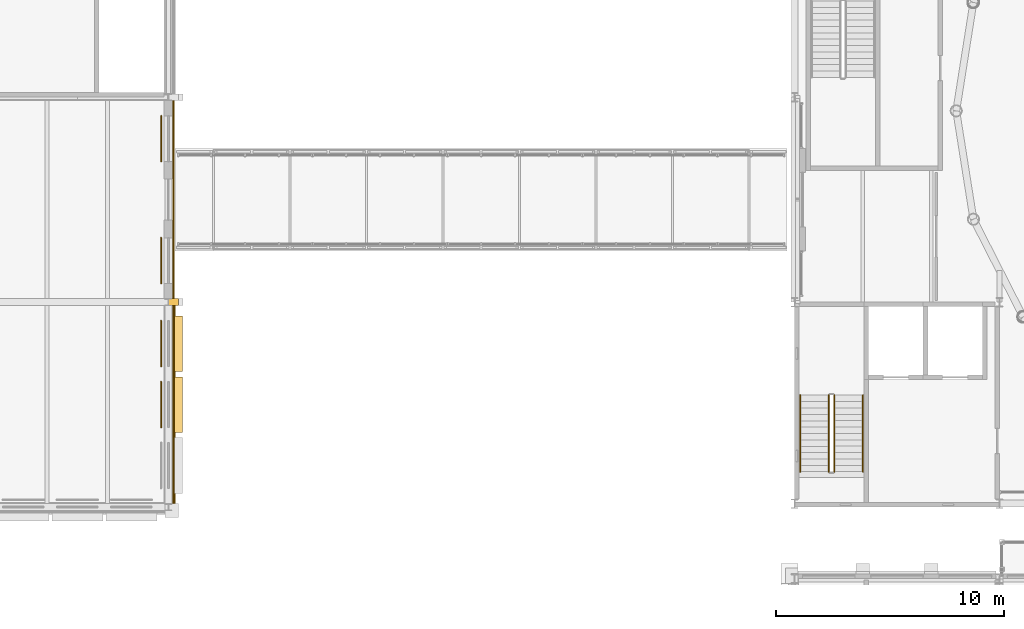
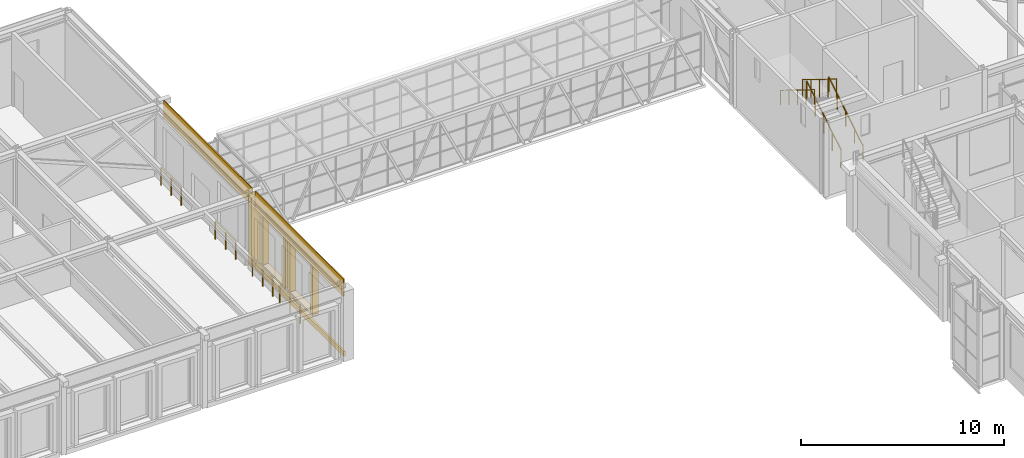
# One storey, part 137 of 149: 10 coverings, 8 railings.
"""IFC4 building model written with IfcOpenShell, lengths in metres."""

from ifc_helpers import new_model, si_unit, direction, frame, origin, origin_2d, place, context, subcontext, project, spatial, polyline, rectangle, circle, outline, extrude, material, layer, layer_set, type_object, element, save


model = new_model("IFC4")

# Units and contexts
model_context = context("Model", 3, precision=1e-05, world=origin(), true_north=direction((0.0, 1.0)))
body_context = subcontext(model_context, "Body", "Model", "MODEL_VIEW")
ifc_project = project(units=[si_unit("LENGTHUNIT", "METRE"), si_unit("AREAUNIT", "SQUARE_METRE"), si_unit("VOLUMEUNIT", "CUBIC_METRE"), si_unit("PLANEANGLEUNIT", "RADIAN"), si_unit("MASSUNIT", "GRAM", prefix="KILO")], contexts=[model_context])

# Site, building, storey
site_placement = place(None, origin())
site = spatial("IfcSite", under=ifc_project, at=site_placement, CompositionType="ELEMENT")
building_placement = place(site_placement, origin())
building = spatial("IfcBuilding", under=site, at=building_placement, Name="Kallimachos Central Library", CompositionType="ELEMENT")
storey_placement = place(building_placement, frame((0.0, 0.0, 9.89990234375)))
storey = spatial("IfcBuildingStorey", under=building, at=storey_placement, Name="L02", CompositionType="ELEMENT", Elevation=9.89990234375)

# Coverings
ifc_material_1 = material(Name="Pentelic marble window sill", Category="masonry")
ifc_layer_1 = layer(ifc_material_1, 0.35009765625)
ifc_layer_set_1 = layer_set([ifc_layer_1], Name="Attic window sill block 350")
covering_type_1 = type_object("IfcCoveringType", Name="Attic window sill block 350", PredefinedType="MOLDING", material=ifc_layer_set_1)
for number, where, z_axis, x_axis, name in (
    (1, (38.43505859375, 91.5, 0.330078125), (0.0, 0.0, 1.0), (1.0, 0.0, 0.0), "Attic window sill block"),
    (2, (38.43505859375, 94.175048828125, 0.330078125), (0.0, 0.0, 1.0), (1.0, 0.0, 0.0), "Attic window sill block"),
):
    element("IfcCovering", number, at=place(storey_placement, frame(where, z_axis=z_axis, x_axis=x_axis)), inside=storey, type_object=covering_type_1, Name=name, PredefinedType="MOLDING", context=body_context, shape_type="SweptSolid", body=[
        extrude(rectangle(XDim=0.35009765625, YDim=2.43994140625, at=origin_2d()), origin(), (0.0, 0.0, 1.0), 0.1201171875),
    ])
ifc_material_2 = material(Name="Pentelic marble window surround", Category="masonry")
ifc_layer_2 = layer(ifc_material_2, 0.35009765625)
ifc_layer_set_2 = layer_set([ifc_layer_2], Name="Attic window surround 350")
covering_type_2 = type_object("IfcCoveringType", Name="Attic window surround 350", PredefinedType="MOLDING", material=ifc_layer_set_2)
for number, where, z_axis, x_axis, name in (
    (3, (38.610107421875, 90.5, 0.4501953125), (1.0, 0.0, 0.0), (0.0, 0.0, 1.0), "Attic window surround -WIN-L02-030"),
    (4, (38.610107421875, 93.175048828125, 0.4501953125), (1.0, 0.0, 0.0), (0.0, 0.0, 1.0), "Attic window surround -WIN-L02-031"),
):
    element("IfcCovering", number, at=place(storey_placement, frame(where, z_axis=z_axis, x_axis=x_axis)), inside=storey, type_object=covering_type_2, Name=name, PredefinedType="MOLDING", context=body_context, shape_type="SweptSolid", body=[
        extrude(outline(polyline([(0.0, 0.0), (3.0, 0.0), (3.0, -2.0), (0.0, -2.0), (0.0, -2.219970703125), (3.219970703125, -2.219970703125), (3.219970703125, 0.219970703125), (0.0, 0.219970703125), (0.0, 0.0)])), origin(), (0.0, 0.0, -1.0), 0.35009765625),
    ])
ifc_material_3 = material(Name="Polychrome glazed ceramic tile")
ifc_layer_3 = layer(ifc_material_3, 0.0400390625)
ifc_layer_set_3 = layer_set([ifc_layer_3], Name="Ceramic frieze band")
covering_type_3 = type_object("IfcCoveringType", Name="Ceramic frieze band", PredefinedType="CLADDING", material=ifc_layer_set_3)
for number, where, z_axis, x_axis, name in (
    (5, (38.22998046875, 91.5, 3.80029296875), (0.0, 0.0, 1.0), (1.0, 0.0, 0.0), "frieze E87"),
    (6, (38.22998046875, 100.5, 3.80029296875), (0.0, 0.0, 1.0), (1.0, 0.0, 0.0), "frieze E96"),
):
    element("IfcCovering", number, at=place(storey_placement, frame(where, z_axis=z_axis, x_axis=x_axis)), inside=storey, type_object=covering_type_3, Name=name, PredefinedType="CLADDING", context=body_context, shape_type="SweptSolid", body=[
        extrude(rectangle(XDim=0.06005859375, YDim=8.699951171875, at=origin_2d()), origin(), (0.0, 0.0, 1.0), 0.699951171875),
    ])
ifc_material_4 = material(Name="Pentelic marble attic moulding", Category="masonry")
ifc_layer_4 = layer(ifc_material_4, 0.1201171875)
ifc_layer_set_4 = layer_set([ifc_layer_4], Name="Stone attic moulding 300")
covering_type_4 = type_object("IfcCoveringType", Name="Stone attic moulding 300", PredefinedType="MOLDING", material=ifc_layer_set_4)
covering_1_placement = place(storey_placement, frame((38.260009765625, 91.5, -0.14990234375), z_axis=(0.0, 0.0, 1.0), x_axis=(1.0, 0.0, 0.0)))
element("IfcCovering", 7, at=covering_1_placement, inside=storey, type_object=covering_type_4, Name="Stone attic moulding 300 -L02-016", PredefinedType="MOLDING", context=body_context, shape_type="SweptSolid", body=[
    extrude(rectangle(XDim=0.1201171875, YDim=8.699951171875, at=origin_2d()), origin(), (0.0, 0.0, 1.0), 0.300048828125),
])
ifc_material_5 = material(Name="Pentelic marble pilaster", Category="masonry")
ifc_layer_5 = layer(ifc_material_5, 0.25)
ifc_layer_set_5 = layer_set([ifc_layer_5], Name="Stone pilaster 250")
covering_type_5 = type_object("IfcCoveringType", Name="Stone pilaster 250", PredefinedType="CLADDING", material=ifc_layer_set_5)
covering_2_placement = place(storey_placement, frame((38.22509765625, 96.0, 0.0), z_axis=(0.0, 0.0, 1.0), x_axis=(1.0, 0.0, 0.0)))
element("IfcCovering", 8, at=covering_2_placement, inside=storey, type_object=covering_type_5, Name="Stone pilaster 250 -L02-016", PredefinedType="CLADDING", context=body_context, shape_type="SweptSolid", body=[
    extrude(rectangle(XDim=0.449951171875, YDim=0.300048828125, at=origin_2d()), origin(), (0.0, 0.0, 1.0), 4.199951171875),
])

# Railings
ifc_material_6 = material(Name="Wrought iron")
railing_type_1 = type_object("IfcRailingType", Name="Window guard 1100", PredefinedType="GUARDRAIL", material=ifc_material_6)
for number, where, name in (
    (9, (37.679931640625, 90.5, 0.0), "Window guard"),
    (10, (37.679931640625, 93.175048828125, 0.0), "Window guard"),
    (11, (37.679931640625, 96.824951171875, 0.0), "Window guard"),
    (12, (37.679931640625, 102.175048828125, 0.0), "Window guard"),
):
    element("IfcRailing", number, at=place(storey_placement, frame(where)), inside=storey, type_object=railing_type_1, Name=name, PredefinedType="GUARDRAIL", context=body_context, shape_type="SweptSolid", body=[
        extrude(circle(Radius=0.02392578125, at=origin_2d()), frame((0.0, 0.0, 1.076171875), z_axis=(0.0, 1.0, 0.0), x_axis=(-1.0, 0.0, 0.0)), (0.0, 0.0, 1.0), 2.0),
        extrude(circle(Radius=0.02099609375, at=origin_2d()), origin(), (0.0, 0.0, 1.0), 1.052001953125),
        extrude(circle(Radius=0.02099609375, at=origin_2d()), frame((0.0, 1.0, 0.0)), (0.0, 0.0, 1.0), 1.052001953125),
        extrude(circle(Radius=0.02099609375, at=origin_2d()), frame((0.0, 2.0, 0.0)), (0.0, 0.0, 1.0), 1.052001953125),
    ])

# Coverings
ifc_material_7 = material(Name="Pentelic marble", Category="masonry")
ifc_layer_6 = layer(ifc_material_7, 0.06005859375)
ifc_layer_set_6 = layer_set([ifc_layer_6], Name="Window head band")
covering_type_6 = type_object("IfcCoveringType", Name="Window head band", PredefinedType="MOLDING", material=ifc_layer_set_6)
for number, where, z_axis, x_axis, name in (
    (13, (38.22998046875, 91.5, 3.4501953125), (0.0, 0.0, 1.0), (1.0, 0.0, 0.0), "head band E87"),
    (14, (38.22998046875, 100.5, 3.4501953125), (0.0, 0.0, 1.0), (1.0, 0.0, 0.0), "head band E96"),
):
    element("IfcCovering", number, at=place(storey_placement, frame(where, z_axis=z_axis, x_axis=x_axis)), inside=storey, type_object=covering_type_6, Name=name, PredefinedType="MOLDING", context=body_context, shape_type="SweptSolid", body=[
        extrude(rectangle(XDim=0.06005859375, YDim=8.699951171875, at=origin_2d()), origin(), (0.0, 0.0, 1.0), 0.300048828125),
    ])

# Railings
ifc_material_8 = material(Name="Wrought iron")
railing_type_2 = type_object("IfcRailingType", Name="Wrought-iron handrail 900", PredefinedType="HANDRAIL", material=ifc_material_8)
railing_1_placement = place(storey_placement, frame((68.5, 88.550048828125, 0.173095703125)))
element("IfcRailing", 15, at=railing_1_placement, inside=storey, type_object=railing_type_2, Name="L02 ST1 stair handrail 1", PredefinedType="HANDRAIL", context=body_context, shape_type="SweptSolid", body=[
    extrude(circle(Radius=0.02392578125, at=origin_2d()), frame((0.0, 0.0, 0.8759765625), z_axis=(0.0, 0.850606129759, 0.525803396734), x_axis=(-1.0, 0.0, 0.0)), (0.0, 0.0, 1.0), 3.949951171875),
    extrude(circle(Radius=0.02099609375, at=origin_2d()), origin(), (0.0, 0.0, 1.0), 0.851806640625),
    extrude(circle(Radius=0.02099609375, at=origin_2d()), frame((0.0, 0.83984375, 0.519287109375)), (0.0, 0.0, 1.0), 0.851806640625),
    extrude(circle(Radius=0.02099609375, at=origin_2d()), frame((0.0, 1.679931640625, 1.03857421875)), (0.0, 0.0, 1.0), 0.851806640625),
    extrude(circle(Radius=0.02099609375, at=origin_2d()), frame((0.0, 2.52001953125, 1.5576171875)), (0.0, 0.0, 1.0), 0.851806640625),
    extrude(circle(Radius=0.02099609375, at=origin_2d()), frame((0.0, 3.35986328125, 2.076904296875)), (0.0, 0.0, 1.0), 0.851806640625),
])
railing_2_placement = place(storey_placement, frame((65.75, 91.909912109375, 2.423095703125)))
element("IfcRailing", 16, at=railing_2_placement, inside=storey, type_object=railing_type_2, Name="L02 ST1 stair handrail 2", PredefinedType="HANDRAIL", context=body_context, shape_type="SweptSolid", body=[
    extrude(circle(Radius=0.02392578125, at=origin_2d()), frame((0.0, 0.0, 0.8759765625), z_axis=(0.0, -0.850606129759, 0.525803396734), x_axis=(1.0, 0.0, 0.0)), (0.0, 0.0, 1.0), 3.949951171875),
    extrude(circle(Radius=0.02099609375, at=origin_2d()), origin(), (0.0, 0.0, 1.0), 0.851806640625),
    extrude(circle(Radius=0.02099609375, at=origin_2d()), frame((0.0, -0.83984375, 0.519287109375)), (0.0, 0.0, 1.0), 0.851806640625),
    extrude(circle(Radius=0.02099609375, at=origin_2d()), frame((0.0, -1.679931640625, 1.03857421875)), (0.0, 0.0, 1.0), 0.851806640625),
    extrude(circle(Radius=0.02099609375, at=origin_2d()), frame((0.0, -2.52001953125, 1.5576171875)), (0.0, 0.0, 1.0), 0.851806640625),
    extrude(circle(Radius=0.02099609375, at=origin_2d()), frame((0.0, -3.35986328125, 2.076904296875)), (0.0, 0.0, 1.0), 0.851806640625),
])
ifc_material_9 = material(Name="Wrought iron")
railing_type_3 = type_object("IfcRailingType", Name="Wrought-iron stair guard 1100", PredefinedType="GUARDRAIL", material=ifc_material_9)
railing_3_placement = place(storey_placement, frame((67.25, 88.550048828125, 0.173095703125)))
element("IfcRailing", 17, at=railing_3_placement, inside=storey, type_object=railing_type_3, Name="L02 ST1 stair guard 1", PredefinedType="GUARDRAIL", context=body_context, shape_type="SweptSolid", body=[
    extrude(circle(Radius=0.02392578125, at=origin_2d()), frame((0.0, 0.0, 1.076171875), z_axis=(0.0, 0.850606129759, 0.525803396734), x_axis=(-1.0, 0.0, 0.0)), (0.0, 0.0, 1.0), 3.949951171875),
    extrude(circle(Radius=0.02099609375, at=origin_2d()), origin(), (0.0, 0.0, 1.0), 1.052001953125),
    extrude(circle(Radius=0.02099609375, at=origin_2d()), frame((0.0, 0.83984375, 0.519287109375)), (0.0, 0.0, 1.0), 1.052001953125),
    extrude(circle(Radius=0.02099609375, at=origin_2d()), frame((0.0, 1.679931640625, 1.03857421875)), (0.0, 0.0, 1.0), 1.052001953125),
    extrude(circle(Radius=0.02099609375, at=origin_2d()), frame((0.0, 2.52001953125, 1.5576171875)), (0.0, 0.0, 1.0), 1.052001953125),
    extrude(circle(Radius=0.02099609375, at=origin_2d()), frame((0.0, 3.35986328125, 2.076904296875)), (0.0, 0.0, 1.0), 1.052001953125),
])
railing_4_placement = place(storey_placement, frame((67.0, 91.909912109375, 2.423095703125)))
element("IfcRailing", 18, at=railing_4_placement, inside=storey, type_object=railing_type_3, Name="L02 ST1 stair guard 3", PredefinedType="GUARDRAIL", context=body_context, shape_type="SweptSolid", body=[
    extrude(circle(Radius=0.02392578125, at=origin_2d()), frame((0.0, 0.0, 1.076171875), z_axis=(0.0, -0.850606129759, 0.525803396734), x_axis=(1.0, 0.0, 0.0)), (0.0, 0.0, 1.0), 3.949951171875),
    extrude(circle(Radius=0.02099609375, at=origin_2d()), origin(), (0.0, 0.0, 1.0), 1.052001953125),
    extrude(circle(Radius=0.02099609375, at=origin_2d()), frame((0.0, -0.83984375, 0.519287109375)), (0.0, 0.0, 1.0), 1.052001953125),
    extrude(circle(Radius=0.02099609375, at=origin_2d()), frame((0.0, -1.679931640625, 1.03857421875)), (0.0, 0.0, 1.0), 1.052001953125),
    extrude(circle(Radius=0.02099609375, at=origin_2d()), frame((0.0, -2.52001953125, 1.5576171875)), (0.0, 0.0, 1.0), 1.052001953125),
    extrude(circle(Radius=0.02099609375, at=origin_2d()), frame((0.0, -3.35986328125, 2.076904296875)), (0.0, 0.0, 1.0), 1.052001953125),
])

save(model, "model.ifc")
